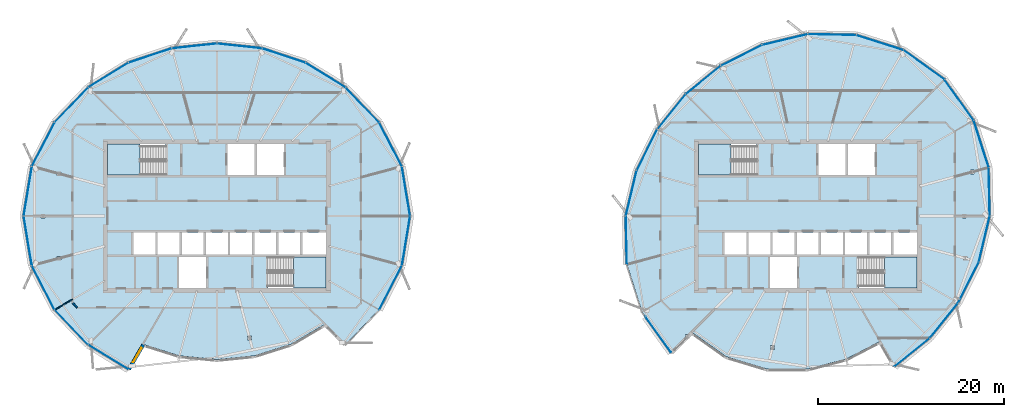
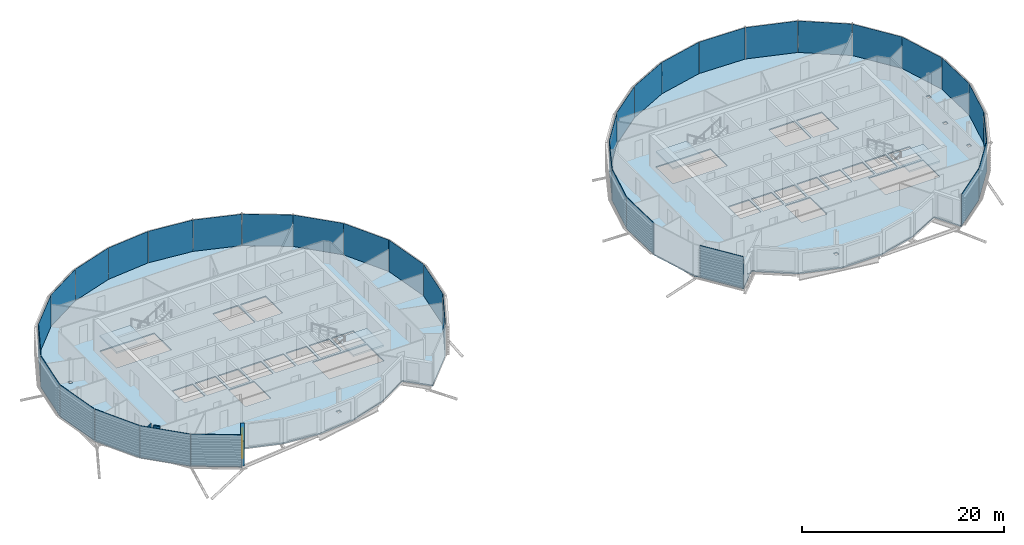
# One storey, part 17 of 35: 36 plates, 6 slabs, 3 walls, 1 window, 1 opening, 6 elements without a shape of their own.
"""IFC4 building model written with IfcOpenShell, lengths in metres."""

from ifc_helpers import new_model, si_unit, direction, frame, frame_2d, origin, origin_2d, place, context, subcontext, project, spatial, polyline, rectangle, outline, extrude, material, layer, layer_set, type_object, element, fill, aggregate, save


model = new_model("IFC4")

# Units and contexts
model_context = context("Model", 3, precision=1e-05, world=origin(), true_north=direction((0.0, 1.0)))
body_context = subcontext(model_context, "Body", "Model", "MODEL_VIEW")
ifc_project = project(units=[si_unit("LENGTHUNIT", "METRE"), si_unit("AREAUNIT", "SQUARE_METRE"), si_unit("VOLUMEUNIT", "CUBIC_METRE"), si_unit("PLANEANGLEUNIT", "RADIAN"), si_unit("MASSUNIT", "GRAM", prefix="KILO")], contexts=[model_context])

# Site, building, storey
site_placement = place(None, origin())
site = spatial("IfcSite", under=ifc_project, at=site_placement, CompositionType="ELEMENT")
building_placement = place(site_placement, origin())
building = spatial("IfcBuilding", under=site, at=building_placement, Name="Rimbun Link Towers", CompositionType="ELEMENT")
storey_placement = place(building_placement, frame((0.0, 0.0, 229.5)))
storey = spatial("IfcBuildingStorey", under=building, at=storey_placement, Name="L56", CompositionType="ELEMENT", Elevation=229.5)

# Slabs
ifc_material_1 = material(Name="Concrete C35/45", Category="concrete")
ifc_layer_1 = layer(ifc_material_1, 0.139892578125)
ifc_layer_set_1 = layer_set([ifc_layer_1], Name="COMPOSITE FLOOR 140")
slab_type_1 = type_object("IfcSlabType", Name="COMPOSITE FLOOR 140", PredefinedType="FLOOR", material=ifc_layer_set_1)
slab_1_placement = place(storey_placement, frame((0.0, 0.0, -0.139892578125)))
element("IfcSlab", 1, at=slab_1_placement, inside=storey, type_object=slab_type_1, Name="Floor slab T1 L56", PredefinedType="FLOOR", context=body_context, shape_type="SweptSolid", body=[
    extrude(outline(polyline([(-45.56494140625, -13.81494140625), (-49.168212890625, -10.056396484375), (-51.6171875, -5.323486328125), (-52.49267578125, 0.0), (-51.6171875, 5.323486328125), (-49.168212890625, 10.056396484375), (-45.56494140625, 13.81494140625), (-41.254150390625, 16.4619140625), (-36.576416015625, 18.011962890625), (-31.75, 18.520263671875), (-26.923583984375, 18.011962890625), (-22.245849609375, 16.4619140625), (-17.93505859375, 13.81494140625), (-14.331787109375, 10.056396484375), (-11.8828125, 5.323486328125), (-11.00732421875, 0.0), (-11.8828125, -5.323486328125), (-14.331787109375, -10.056396484375), (-17.93505859375, -13.81494140625), (-20.127197265625, -11.622802734375), (-23.7958984375, -13.777099609375), (-27.72607421875, -15.017578125), (-31.75, -15.42041015625), (-35.77392578125, -15.017578125), (-39.7041015625, -13.777099609375), (-41.254150390625, -16.4619140625), (-45.56494140625, -13.81494140625)]), holes=[polyline([(-32.89990234375, -7.75), (-32.89990234375, -4.39990234375), (-35.800048828125, -4.39990234375), (-35.800048828125, -7.75), (-32.89990234375, -7.75)]), polyline([(-48.52392578125, -4.744873046875), (-48.52392578125, -4.351318359375), (-48.9228515625, -4.351318359375), (-48.9228515625, -4.744873046875), (-48.52392578125, -4.744873046875)]), polyline([(-38.361083984375, -4.14990234375), (-38.361083984375, -1.75), (-40.70556640625, -1.75), (-40.70556640625, -4.14990234375), (-38.361083984375, -4.14990234375)]), polyline([(-35.7666015625, -4.14990234375), (-35.7666015625, -1.75), (-38.111083984375, -1.75), (-38.111083984375, -4.14990234375), (-35.7666015625, -4.14990234375)]), polyline([(-33.172119140625, -4.14990234375), (-33.172119140625, -1.75), (-35.5166015625, -1.75), (-35.5166015625, -4.14990234375), (-33.172119140625, -4.14990234375)]), polyline([(-30.577880859375, -4.14990234375), (-30.577880859375, -1.75), (-32.922119140625, -1.75), (-32.922119140625, -4.14990234375), (-30.577880859375, -4.14990234375)]), polyline([(-50.246337890625, -0.19677734375), (-50.246337890625, 0.19677734375), (-50.645263671875, 0.19677734375), (-50.645263671875, -0.19677734375), (-50.246337890625, -0.19677734375)]), polyline([(-48.52392578125, 4.351318359375), (-48.52392578125, 4.744873046875), (-48.9228515625, 4.744873046875), (-48.9228515625, 4.351318359375), (-48.52392578125, 4.351318359375)]), polyline([(-37.260009765625, 4.39990234375), (-37.260009765625, 7.75), (-43.5, 7.75), (-43.5, 4.39990234375), (-37.260009765625, 4.39990234375)]), polyline([(-28.0380859375, -13.305419921875), (-28.0380859375, -12.911865234375), (-28.43701171875, -12.911865234375), (-28.43701171875, -13.305419921875), (-28.0380859375, -13.305419921875)]), polyline([(-20.0, -7.75), (-20.0, -4.39990234375), (-26.239990234375, -4.39990234375), (-26.239990234375, -7.75), (-20.0, -7.75)]), polyline([(-27.9833984375, -4.14990234375), (-27.9833984375, -1.75), (-30.327880859375, -1.75), (-30.327880859375, -4.14990234375), (-27.9833984375, -4.14990234375)]), polyline([(-25.388916015625, -4.14990234375), (-25.388916015625, -1.75), (-27.7333984375, -1.75), (-27.7333984375, -4.14990234375), (-25.388916015625, -4.14990234375)]), polyline([(-22.79443359375, -4.14990234375), (-22.79443359375, -1.75), (-25.138916015625, -1.75), (-25.138916015625, -4.14990234375), (-22.79443359375, -4.14990234375)]), polyline([(-20.0, -4.14990234375), (-20.0, -1.75), (-22.54443359375, -1.75), (-22.54443359375, -4.14990234375), (-20.0, -4.14990234375)]), polyline([(-30.60009765625, 4.39990234375), (-27.699951171875, 4.39990234375), (-27.699951171875, 7.75), (-30.60009765625, 7.75), (-30.60009765625, 4.39990234375)]), polyline([(-27.449951171875, 4.39990234375), (-24.550048828125, 4.39990234375), (-24.550048828125, 7.75), (-27.449951171875, 7.75), (-27.449951171875, 4.39990234375)])]), origin(), (0.0, 0.0, 1.0), 0.139892578125),
])
slab_2_placement = place(storey_placement, frame((0.0, 0.0, -0.139892578125)))
element("IfcSlab", 2, at=slab_2_placement, inside=storey, type_object=slab_type_1, Name="Floor slab T2 L56", PredefinedType="FLOOR", context=body_context, shape_type="SweptSolid", body=[
    extrude(outline(polyline([(17.082763671875, -14.667236328125), (13.9375, -10.2841796875), (12.322509765625, -5.20556640625), (12.212646484375, 0.0), (13.389404296875, 4.919677734375), (15.600830078125, 9.32373046875), (18.654296875, 13.095703125), (22.42626953125, 16.149169921875), (26.830322265625, 18.360595703125), (31.75, 19.537353515625), (36.95556640625, 19.427490234375), (42.0341796875, 17.8125), (46.417236328125, 14.667236328125), (49.5625, 10.2841796875), (51.177490234375, 5.20556640625), (51.287353515625, 0.0), (50.110595703125, -4.919677734375), (47.899169921875, -9.32373046875), (44.845703125, -13.095703125), (41.07373046875, -16.149169921875), (39.523681640625, -13.46435546875), (35.867431640625, -15.3662109375), (31.75, -16.437255859375), (27.3466796875, -16.433349609375), (23.015869140625, -15.1279296875), (19.274658203125, -12.475341796875), (19.01416015625, -12.73583984375), (18.617919921875, -12.73583984375), (18.617919921875, -13.12939453125), (18.62060546875, -13.12939453125), (17.082763671875, -14.667236328125)]), holes=[polyline([(28.16650390625, -14.315185546875), (28.16650390625, -13.921630859375), (27.767578125, -13.921630859375), (27.767578125, -14.315185546875), (28.16650390625, -14.315185546875)]), polyline([(30.60009765625, -7.75), (30.60009765625, -4.39990234375), (27.699951171875, -4.39990234375), (27.699951171875, -7.75), (30.60009765625, -7.75)]), polyline([(25.138916015625, -4.14990234375), (25.138916015625, -1.75), (22.79443359375, -1.75), (22.79443359375, -4.14990234375), (25.138916015625, -4.14990234375)]), polyline([(27.7333984375, -4.14990234375), (27.7333984375, -1.75), (25.388916015625, -1.75), (25.388916015625, -4.14990234375), (27.7333984375, -4.14990234375)]), polyline([(30.327880859375, -4.14990234375), (30.327880859375, -1.75), (27.9833984375, -1.75), (27.9833984375, -4.14990234375), (30.327880859375, -4.14990234375)]), polyline([(32.922119140625, -4.14990234375), (32.922119140625, -1.75), (30.577880859375, -1.75), (30.577880859375, -4.14990234375), (32.922119140625, -4.14990234375)]), polyline([(33.172119140625, -4.14990234375), (35.5166015625, -4.14990234375), (35.5166015625, -1.75), (33.172119140625, -1.75), (33.172119140625, -4.14990234375)]), polyline([(20.0, 4.39990234375), (26.239990234375, 4.39990234375), (26.239990234375, 7.75), (20.0, 7.75), (20.0, 4.39990234375)]), polyline([(43.5, -7.75), (43.5, -4.39990234375), (37.260009765625, -4.39990234375), (37.260009765625, -7.75), (43.5, -7.75)]), polyline([(48.861328125, -4.728271484375), (48.861328125, -4.334716796875), (48.46240234375, -4.334716796875), (48.46240234375, -4.728271484375), (48.861328125, -4.728271484375)]), polyline([(38.111083984375, -4.14990234375), (38.111083984375, -1.75), (35.7666015625, -1.75), (35.7666015625, -4.14990234375), (38.111083984375, -4.14990234375)]), polyline([(40.70556640625, -4.14990234375), (40.70556640625, -1.75), (38.361083984375, -1.75), (38.361083984375, -4.14990234375), (40.70556640625, -4.14990234375)]), polyline([(43.5, -4.14990234375), (43.5, -1.75), (40.95556640625, -1.75), (40.95556640625, -4.14990234375), (43.5, -4.14990234375)]), polyline([(48.760009765625, -0.19677734375), (48.760009765625, 0.19677734375), (48.36083984375, 0.19677734375), (48.36083984375, -0.19677734375), (48.760009765625, -0.19677734375)]), polyline([(49.622314453125, 4.538818359375), (49.622314453125, 4.932373046875), (49.223388671875, 4.932373046875), (49.223388671875, 4.538818359375), (49.622314453125, 4.538818359375)]), polyline([(32.89990234375, 4.39990234375), (35.800048828125, 4.39990234375), (35.800048828125, 7.75), (32.89990234375, 7.75), (32.89990234375, 4.39990234375)]), polyline([(36.050048828125, 4.39990234375), (38.949951171875, 4.39990234375), (38.949951171875, 7.75), (36.050048828125, 7.75), (36.050048828125, 4.39990234375)])]), origin(), (0.0, 0.0, 1.0), 0.139892578125),
])

# Curtain wall, plates
ifc_material_2 = material(Name="Aluminium 6063-T6 and low-iron glass", Category="aluminium")
curtain_wall_type = type_object("IfcCurtainWallType", Name="CW1-Z4 unitised vision wall (zone 4)", PredefinedType="NOTDEFINED", material=ifc_material_2)
curtain_wall_1_placement = place(storey_placement, origin())
curtain_wall_1 = element("IfcCurtainWall", 3, at=curtain_wall_1_placement, inside=storey, type_object=curtain_wall_type, Name="CW1 L56 T1", PredefinedType="NOTDEFINED")
ifc_material_3 = material(Name="Low-iron glass, laminated low-e unit", Category="glass")
ifc_layer_2 = layer(ifc_material_3, 0.028076171875)
ifc_layer_set_2 = layer_set([ifc_layer_2], Name="CW1 panel Low-iron glass 28")
plate_type = type_object("IfcPlateType", Name="CW1 panel Low-iron glass 28", PredefinedType="CURTAIN_PANEL", material=ifc_layer_set_2)
plate_1_placement = place(storey_placement, frame((-11.43115234375, 2.6640625, 0.0), z_axis=(0.0, 0.0, 1.0), x_axis=(0.162264453577, -0.986747306612, 0.0)))
plate_1 = element("IfcPlate", 4, at=plate_1_placement, type_object=plate_type, Name="CW1 panel", PredefinedType="CURTAIN_PANEL", context=body_context, shape_type="SweptSolid", body=[
    extrude(rectangle(XDim=5.35498046875, YDim=0.028076171875, at=origin_2d()), origin(), (0.0, 0.0, 1.0), 3.800048828125),
])
plate_2_placement = place(storey_placement, frame((-13.0947265625, 7.6962890625, 0.0), z_axis=(0.0, 0.0, 1.0), x_axis=(0.459547983117, -0.888152943593, 0.0)))
plate_2 = element("IfcPlate", 5, at=plate_2_placement, type_object=plate_type, Name="CW1 panel", PredefinedType="CURTAIN_PANEL", context=body_context, shape_type="SweptSolid", body=[
    extrude(rectangle(XDim=5.2890625, YDim=0.028076171875, at=origin_2d()), origin(), (0.0, 0.0, 1.0), 3.800048828125),
])
plate_3_placement = place(storey_placement, frame((-16.123291015625, 11.945556640625, 0.0), z_axis=(0.0, 0.0, 1.0), x_axis=(0.692045926829, -0.721853472084, 0.0)))
plate_3 = element("IfcPlate", 6, at=plate_3_placement, type_object=plate_type, Name="CW1 panel", PredefinedType="CURTAIN_PANEL", context=body_context, shape_type="SweptSolid", body=[
    extrude(rectangle(XDim=5.166748046875, YDim=0.028076171875, at=origin_2d()), origin(), (0.0, 0.0, 1.0), 3.800048828125),
])
plate_4_placement = place(storey_placement, frame((-20.0830078125, 15.150390625, 0.0), z_axis=(0.0, 0.0, 1.0), x_axis=(0.852187308888, -0.523236839844, 0.0)))
plate_4 = element("IfcPlate", 7, at=plate_4_placement, type_object=plate_type, Name="CW1 panel", PredefinedType="CURTAIN_PANEL", context=body_context, shape_type="SweptSolid", body=[
    extrude(rectangle(XDim=5.0185546875, YDim=0.028076171875, at=origin_2d()), origin(), (0.0, 0.0, 1.0), 3.800048828125),
])
plate_5_placement = place(storey_placement, frame((-24.580322265625, 17.250244140625, 0.0), z_axis=(0.0, 0.0, 1.0), x_axis=(0.949235811847, -0.314565372391, 0.0)))
plate_5 = element("IfcPlate", 8, at=plate_5_placement, type_object=plate_type, Name="CW1 panel", PredefinedType="CURTAIN_PANEL", context=body_context, shape_type="SweptSolid", body=[
    extrude(rectangle(XDim=4.88818359375, YDim=0.028076171875, at=origin_2d()), origin(), (0.0, 0.0, 1.0), 3.800048828125),
])
plate_6_placement = place(storey_placement, frame((-29.33544921875, 18.280029296875, 0.0), z_axis=(0.0, 0.0, 1.0), x_axis=(0.994499693073, -0.104739488627, 0.0)))
plate_6 = element("IfcPlate", 9, at=plate_6_placement, type_object=plate_type, Name="CW1 panel", PredefinedType="CURTAIN_PANEL", context=body_context, shape_type="SweptSolid", body=[
    extrude(rectangle(XDim=4.81298828125, YDim=0.028076171875, at=origin_2d()), origin(), (0.0, 0.0, 1.0), 3.800048828125),
])
plate_7_placement = place(storey_placement, frame((-34.16455078125, 18.280029296875, 0.0), z_axis=(0.0, 0.0, 1.0), x_axis=(0.994499693073, 0.104739488627, 0.0)))
plate_7 = element("IfcPlate", 10, at=plate_7_placement, type_object=plate_type, Name="CW1 panel", PredefinedType="CURTAIN_PANEL", context=body_context, shape_type="SweptSolid", body=[
    extrude(rectangle(XDim=4.81298828125, YDim=0.028076171875, at=origin_2d()), origin(), (0.0, 0.0, 1.0), 3.800048828125),
])
plate_8_placement = place(storey_placement, frame((-38.919677734375, 17.250244140625, 0.0), z_axis=(0.0, 0.0, 1.0), x_axis=(0.949235811847, 0.314565372391, 0.0)))
plate_8 = element("IfcPlate", 11, at=plate_8_placement, type_object=plate_type, Name="CW1 panel", PredefinedType="CURTAIN_PANEL", context=body_context, shape_type="SweptSolid", body=[
    extrude(rectangle(XDim=4.88818359375, YDim=0.028076171875, at=origin_2d()), origin(), (0.0, 0.0, 1.0), 3.800048828125),
])
plate_9_placement = place(storey_placement, frame((-43.4169921875, 15.150390625, 0.0), z_axis=(0.0, 0.0, 1.0), x_axis=(0.852187308888, 0.523236839844, 0.0)))
plate_9 = element("IfcPlate", 12, at=plate_9_placement, type_object=plate_type, Name="CW1 panel", PredefinedType="CURTAIN_PANEL", context=body_context, shape_type="SweptSolid", body=[
    extrude(rectangle(XDim=5.0185546875, YDim=0.028076171875, at=origin_2d()), origin(), (0.0, 0.0, 1.0), 3.800048828125),
])
plate_10_placement = place(storey_placement, frame((-47.376708984375, 11.945556640625, 0.0), z_axis=(0.0, 0.0, 1.0), x_axis=(0.692045926829, 0.721853472084, 0.0)))
plate_10 = element("IfcPlate", 13, at=plate_10_placement, type_object=plate_type, Name="CW1 panel", PredefinedType="CURTAIN_PANEL", context=body_context, shape_type="SweptSolid", body=[
    extrude(rectangle(XDim=5.166748046875, YDim=0.028076171875, at=origin_2d()), origin(), (0.0, 0.0, 1.0), 3.800048828125),
])
plate_11_placement = place(storey_placement, frame((-50.4052734375, 7.6962890625, 0.0), z_axis=(0.0, 0.0, 1.0), x_axis=(0.459547983117, 0.888152943593, 0.0)))
plate_11 = element("IfcPlate", 14, at=plate_11_placement, type_object=plate_type, Name="CW1 panel", PredefinedType="CURTAIN_PANEL", context=body_context, shape_type="SweptSolid", body=[
    extrude(rectangle(XDim=5.2890625, YDim=0.028076171875, at=origin_2d()), origin(), (0.0, 0.0, 1.0), 3.800048828125),
])
plate_12_placement = place(storey_placement, frame((-52.06884765625, 2.6640625, 0.0), z_axis=(0.0, 0.0, 1.0), x_axis=(0.162264453577, 0.986747306612, 0.0)))
plate_12 = element("IfcPlate", 15, at=plate_12_placement, type_object=plate_type, Name="CW1 panel", PredefinedType="CURTAIN_PANEL", context=body_context, shape_type="SweptSolid", body=[
    extrude(rectangle(XDim=5.35498046875, YDim=0.028076171875, at=origin_2d()), origin(), (0.0, 0.0, 1.0), 3.800048828125),
])
plate_13_placement = place(storey_placement, frame((-52.06884765625, -2.6640625, 0.0), z_axis=(0.0, 0.0, 1.0), x_axis=(-0.162264453577, 0.986747306612, 0.0)))
plate_13 = element("IfcPlate", 16, at=plate_13_placement, type_object=plate_type, Name="CW1 panel", PredefinedType="CURTAIN_PANEL", context=body_context, shape_type="SweptSolid", body=[
    extrude(rectangle(XDim=5.35498046875, YDim=0.028076171875, at=origin_2d()), origin(), (0.0, 0.0, 1.0), 3.800048828125),
])
plate_14_placement = place(storey_placement, frame((-50.4052734375, -7.6962890625, 0.0), z_axis=(0.0, 0.0, 1.0), x_axis=(-0.459547983117, 0.888152943593, 0.0)))
plate_14 = element("IfcPlate", 17, at=plate_14_placement, type_object=plate_type, Name="CW1 panel", PredefinedType="CURTAIN_PANEL", context=body_context, shape_type="SweptSolid", body=[
    extrude(rectangle(XDim=5.2890625, YDim=0.028076171875, at=origin_2d()), origin(), (0.0, 0.0, 1.0), 3.800048828125),
])
plate_15_placement = place(storey_placement, frame((-47.376708984375, -11.945556640625, 0.0), z_axis=(0.0, 0.0, 1.0), x_axis=(-0.692045926829, 0.721853472084, 0.0)))
plate_15 = element("IfcPlate", 18, at=plate_15_placement, type_object=plate_type, Name="CW1 panel", PredefinedType="CURTAIN_PANEL", context=body_context, shape_type="SweptSolid", body=[
    extrude(rectangle(XDim=5.166748046875, YDim=0.028076171875, at=origin_2d()), origin(), (0.0, 0.0, 1.0), 3.800048828125),
])
plate_16_placement = place(storey_placement, frame((-43.4169921875, -15.150390625, 0.0), z_axis=(0.0, 0.0, 1.0), x_axis=(-0.852187308888, 0.523236839844, 0.0)))
plate_16 = element("IfcPlate", 19, at=plate_16_placement, type_object=plate_type, Name="CW1 panel", PredefinedType="CURTAIN_PANEL", context=body_context, shape_type="SweptSolid", body=[
    extrude(rectangle(XDim=5.0185546875, YDim=0.028076171875, at=origin_2d()), origin(), (0.0, 0.0, 1.0), 3.800048828125),
])
plate_17_placement = place(storey_placement, frame((-13.0947265625, -7.6962890625, 0.0), z_axis=(0.0, 0.0, 1.0), x_axis=(-0.459547983117, -0.888152943593, 0.0)))
plate_17 = element("IfcPlate", 20, at=plate_17_placement, type_object=plate_type, Name="CW1 panel", PredefinedType="CURTAIN_PANEL", context=body_context, shape_type="SweptSolid", body=[
    extrude(rectangle(XDim=5.2890625, YDim=0.028076171875, at=origin_2d()), origin(), (0.0, 0.0, 1.0), 3.800048828125),
])
plate_18_placement = place(storey_placement, frame((-11.43115234375, -2.6640625, 0.0), z_axis=(0.0, 0.0, 1.0), x_axis=(-0.162264453577, -0.986747306612, 0.0)))
plate_18 = element("IfcPlate", 21, at=plate_18_placement, type_object=plate_type, Name="CW1 panel", PredefinedType="CURTAIN_PANEL", context=body_context, shape_type="SweptSolid", body=[
    extrude(rectangle(XDim=5.35498046875, YDim=0.028076171875, at=origin_2d()), origin(), (0.0, 0.0, 1.0), 3.800048828125),
])
aggregate(curtain_wall_1, [plate_1, plate_2, plate_3, plate_4, plate_5, plate_6, plate_7, plate_8, plate_9, plate_10, plate_11, plate_12, plate_13, plate_14, plate_15, plate_16, plate_17, plate_18])

curtain_wall_2_placement = place(storey_placement, origin())
curtain_wall_2 = element("IfcCurtainWall", 22, at=curtain_wall_2_placement, inside=storey, type_object=curtain_wall_type, Name="CW1 L56 T2", PredefinedType="NOTDEFINED")
plate_19_placement = place(storey_placement, frame((44.23388671875, 16.251220703125, 0.0), z_axis=(0.0, 0.0, 1.0), x_axis=(0.812465338349, -0.583009497334, 0.0)))
plate_19 = element("IfcPlate", 23, at=plate_19_placement, type_object=plate_type, Name="CW1 panel", PredefinedType="CURTAIN_PANEL", context=body_context, shape_type="SweptSolid", body=[
    extrude(rectangle(XDim=5.35498046875, YDim=0.028076171875, at=origin_2d()), origin(), (0.0, 0.0, 1.0), 3.800048828125),
])
plate_20_placement = place(storey_placement, frame((39.4990234375, 18.633544921875, 0.0), z_axis=(0.0, 0.0, 1.0), x_axis=(0.952973824415, -0.303052619159, 0.0)))
plate_20 = element("IfcPlate", 24, at=plate_20_placement, type_object=plate_type, Name="CW1 panel", PredefinedType="CURTAIN_PANEL", context=body_context, shape_type="SweptSolid", body=[
    extrude(rectangle(XDim=5.2890625, YDim=0.028076171875, at=origin_2d()), origin(), (0.0, 0.0, 1.0), 3.800048828125),
])
plate_21_placement = place(storey_placement, frame((34.35302734375, 19.496337890625, 0.0), z_axis=(0.0, 0.0, 1.0), x_axis=(0.999778028585, -0.021068781637, 0.0)))
plate_21 = element("IfcPlate", 25, at=plate_21_placement, type_object=plate_type, Name="CW1 panel", PredefinedType="CURTAIN_PANEL", context=body_context, shape_type="SweptSolid", body=[
    extrude(rectangle(XDim=5.166748046875, YDim=0.028076171875, at=origin_2d()), origin(), (0.0, 0.0, 1.0), 3.800048828125),
])
plate_22_placement = place(storey_placement, frame((29.286865234375, 18.962646484375, 0.0), z_axis=(0.0, 0.0, 1.0), x_axis=(0.972572183777, 0.232601262555, 0.0)))
plate_22 = element("IfcPlate", 26, at=plate_22_placement, type_object=plate_type, Name="CW1 panel", PredefinedType="CURTAIN_PANEL", context=body_context, shape_type="SweptSolid", body=[
    extrude(rectangle(XDim=5.0185546875, YDim=0.028076171875, at=origin_2d()), origin(), (0.0, 0.0, 1.0), 3.800048828125),
])
plate_23_placement = place(storey_placement, frame((24.6220703125, 17.267333984375, 0.0), z_axis=(0.0, 0.0, 1.0), x_axis=(0.893646631938, 0.448771319523, 0.0)))
plate_23 = element("IfcPlate", 27, at=plate_23_placement, type_object=plate_type, Name="CW1 panel", PredefinedType="CURTAIN_PANEL", context=body_context, shape_type="SweptSolid", body=[
    extrude(rectangle(XDim=4.88818359375, YDim=0.028076171875, at=origin_2d()), origin(), (0.0, 0.0, 1.0), 3.800048828125),
])
plate_24_placement = place(storey_placement, frame((20.531494140625, 14.63330078125, 0.0), z_axis=(0.0, 0.0, 1.0), x_axis=(0.777275581063, 0.629160290454, 0.0)))
plate_24 = element("IfcPlate", 28, at=plate_24_placement, type_object=plate_type, Name="CW1 panel", PredefinedType="CURTAIN_PANEL", context=body_context, shape_type="SweptSolid", body=[
    extrude(rectangle(XDim=4.81298828125, YDim=0.028076171875, at=origin_2d()), origin(), (0.0, 0.0, 1.0), 3.800048828125),
])
plate_25_placement = place(storey_placement, frame((17.11669921875, 11.218505859375, 0.0), z_axis=(0.0, 0.0, 1.0), x_axis=(0.629160290454, 0.777275581063, 0.0)))
plate_25 = element("IfcPlate", 29, at=plate_25_placement, type_object=plate_type, Name="CW1 panel", PredefinedType="CURTAIN_PANEL", context=body_context, shape_type="SweptSolid", body=[
    extrude(rectangle(XDim=4.81298828125, YDim=0.028076171875, at=origin_2d()), origin(), (0.0, 0.0, 1.0), 3.800048828125),
])
plate_26_placement = place(storey_placement, frame((14.482666015625, 7.1279296875, 0.0), z_axis=(0.0, 0.0, 1.0), x_axis=(0.448771319523, 0.893646631938, 0.0)))
plate_26 = element("IfcPlate", 30, at=plate_26_placement, type_object=plate_type, Name="CW1 panel", PredefinedType="CURTAIN_PANEL", context=body_context, shape_type="SweptSolid", body=[
    extrude(rectangle(XDim=4.88818359375, YDim=0.028076171875, at=origin_2d()), origin(), (0.0, 0.0, 1.0), 3.800048828125),
])
plate_27_placement = place(storey_placement, frame((12.787353515625, 2.463134765625, 0.0), z_axis=(0.0, 0.0, 1.0), x_axis=(0.232601262555, 0.972572183777, 0.0)))
plate_27 = element("IfcPlate", 31, at=plate_27_placement, type_object=plate_type, Name="CW1 panel", PredefinedType="CURTAIN_PANEL", context=body_context, shape_type="SweptSolid", body=[
    extrude(rectangle(XDim=5.0185546875, YDim=0.028076171875, at=origin_2d()), origin(), (0.0, 0.0, 1.0), 3.800048828125),
])
plate_28_placement = place(storey_placement, frame((12.253662109375, -2.60302734375, 0.0), z_axis=(0.0, 0.0, 1.0), x_axis=(-0.021068781637, 0.999778028585, 0.0)))
plate_28 = element("IfcPlate", 32, at=plate_28_placement, type_object=plate_type, Name="CW1 panel", PredefinedType="CURTAIN_PANEL", context=body_context, shape_type="SweptSolid", body=[
    extrude(rectangle(XDim=5.166748046875, YDim=0.028076171875, at=origin_2d()), origin(), (0.0, 0.0, 1.0), 3.800048828125),
])
plate_29_placement = place(storey_placement, frame((15.688232421875, -12.747802734375, 0.0), z_axis=(0.0, 0.0, 1.0), x_axis=(-0.583009497334, 0.812465338349, 0.0)))
plate_29 = element("IfcPlate", 33, at=plate_29_placement, type_object=plate_type, Name="CW1 panel", PredefinedType="CURTAIN_PANEL", context=body_context, shape_type="SweptSolid", body=[
    extrude(rectangle(XDim=4.704833984375, YDim=0.028076171875, at=origin_2d()), origin(), (0.0, 0.0, 1.0), 3.800048828125),
])
plate_30_placement = place(storey_placement, frame((42.968505859375, -14.63330078125, 0.0), z_axis=(0.0, 0.0, 1.0), x_axis=(-0.777275581063, -0.629160290454, 0.0)))
plate_30 = element("IfcPlate", 34, at=plate_30_placement, type_object=plate_type, Name="CW1 panel", PredefinedType="CURTAIN_PANEL", context=body_context, shape_type="SweptSolid", body=[
    extrude(rectangle(XDim=4.81298828125, YDim=0.028076171875, at=origin_2d()), origin(), (0.0, 0.0, 1.0), 3.800048828125),
])
plate_31_placement = place(storey_placement, frame((46.38330078125, -11.218505859375, 0.0), z_axis=(0.0, 0.0, 1.0), x_axis=(-0.629160290454, -0.777275581063, 0.0)))
plate_31 = element("IfcPlate", 35, at=plate_31_placement, type_object=plate_type, Name="CW1 panel", PredefinedType="CURTAIN_PANEL", context=body_context, shape_type="SweptSolid", body=[
    extrude(rectangle(XDim=4.81298828125, YDim=0.028076171875, at=origin_2d()), origin(), (0.0, 0.0, 1.0), 3.800048828125),
])
plate_32_placement = place(storey_placement, frame((49.017333984375, -7.1279296875, 0.0), z_axis=(0.0, 0.0, 1.0), x_axis=(-0.448771319523, -0.893646631938, 0.0)))
plate_32 = element("IfcPlate", 36, at=plate_32_placement, type_object=plate_type, Name="CW1 panel", PredefinedType="CURTAIN_PANEL", context=body_context, shape_type="SweptSolid", body=[
    extrude(rectangle(XDim=4.88818359375, YDim=0.028076171875, at=origin_2d()), origin(), (0.0, 0.0, 1.0), 3.800048828125),
])
plate_33_placement = place(storey_placement, frame((50.712646484375, -2.463134765625, 0.0), z_axis=(0.0, 0.0, 1.0), x_axis=(-0.232601262555, -0.972572183777, 0.0)))
plate_33 = element("IfcPlate", 37, at=plate_33_placement, type_object=plate_type, Name="CW1 panel", PredefinedType="CURTAIN_PANEL", context=body_context, shape_type="SweptSolid", body=[
    extrude(rectangle(XDim=5.0185546875, YDim=0.028076171875, at=origin_2d()), origin(), (0.0, 0.0, 1.0), 3.800048828125),
])
plate_34_placement = place(storey_placement, frame((51.246337890625, 2.60302734375, 0.0), z_axis=(0.0, 0.0, 1.0), x_axis=(0.021068781637, -0.999778028585, 0.0)))
plate_34 = element("IfcPlate", 38, at=plate_34_placement, type_object=plate_type, Name="CW1 panel", PredefinedType="CURTAIN_PANEL", context=body_context, shape_type="SweptSolid", body=[
    extrude(rectangle(XDim=5.166748046875, YDim=0.028076171875, at=origin_2d()), origin(), (0.0, 0.0, 1.0), 3.800048828125),
])
plate_35_placement = place(storey_placement, frame((50.383544921875, 7.7490234375, 0.0), z_axis=(0.0, 0.0, 1.0), x_axis=(0.303052619159, -0.952973824415, 0.0)))
plate_35 = element("IfcPlate", 39, at=plate_35_placement, type_object=plate_type, Name="CW1 panel", PredefinedType="CURTAIN_PANEL", context=body_context, shape_type="SweptSolid", body=[
    extrude(rectangle(XDim=5.2890625, YDim=0.028076171875, at=origin_2d()), origin(), (0.0, 0.0, 1.0), 3.800048828125),
])
plate_36_placement = place(storey_placement, frame((48.001220703125, 12.48388671875, 0.0), z_axis=(0.0, 0.0, 1.0), x_axis=(0.583009497334, -0.812465338349, 0.0)))
plate_36 = element("IfcPlate", 40, at=plate_36_placement, type_object=plate_type, Name="CW1 panel", PredefinedType="CURTAIN_PANEL", context=body_context, shape_type="SweptSolid", body=[
    extrude(rectangle(XDim=5.35498046875, YDim=0.028076171875, at=origin_2d()), origin(), (0.0, 0.0, 1.0), 3.800048828125),
])
aggregate(curtain_wall_2, [plate_19, plate_20, plate_21, plate_22, plate_23, plate_24, plate_25, plate_26, plate_27, plate_28, plate_29, plate_30, plate_31, plate_32, plate_33, plate_34, plate_35, plate_36])

# Stair, slab
ifc_material_4 = material(Name="Concrete C40/50", Category="concrete")
stair_type = type_object("IfcStairType", Name="Exit stair 3800 rise", PredefinedType="HALF_TURN_STAIR", material=ifc_material_4)
stair_1_placement = place(storey_placement, origin())
stair_1 = element("IfcStair", 41, at=stair_1_placement, inside=storey, type_object=stair_type, Name="L56 EXIT STAIR A", PredefinedType="HALF_TURN_STAIR")
ifc_material_5 = material(Name="Concrete C40/50", Category="concrete")
ifc_layer_3 = layer(ifc_material_5, 0.199951171875)
ifc_layer_set_3 = layer_set([ifc_layer_3], Name="Stair landing")
slab_type_2 = type_object("IfcSlabType", Name="Stair landing", PredefinedType="LANDING", material=ifc_layer_set_3)
slab_3_placement = place(storey_placement, frame((0.0, 0.0, 1.699951171875)))
slab_3 = element("IfcSlab", 42, at=slab_3_placement, type_object=slab_type_2, Name="ST1 landing 1", PredefinedType="LANDING", context=body_context, shape_type="SweptSolid", body=[
    extrude(outline(polyline([(-40.0, 7.75), (-43.5, 7.75), (-43.5, 4.39990234375), (-40.0, 4.39990234375), (-40.0, 7.75)])), origin(), (0.0, 0.0, 1.0), 0.199951171875),
])
aggregate(stair_1, [slab_3])

stair_2_placement = place(storey_placement, origin())
stair_2 = element("IfcStair", 43, at=stair_2_placement, inside=storey, type_object=stair_type, Name="L56 EXIT STAIR B", PredefinedType="HALF_TURN_STAIR")
slab_4_placement = place(storey_placement, frame((0.0, 0.0, 1.699951171875)))
slab_4 = element("IfcSlab", 44, at=slab_4_placement, type_object=slab_type_2, Name="ST2 landing 1", PredefinedType="LANDING", context=body_context, shape_type="SweptSolid", body=[
    extrude(outline(polyline([(-23.5, -7.75), (-20.0, -7.75), (-20.0, -4.39990234375), (-23.5, -4.39990234375), (-23.5, -7.75)])), origin(), (0.0, 0.0, 1.0), 0.199951171875),
])
aggregate(stair_2, [slab_4])

stair_3_placement = place(storey_placement, origin())
stair_3 = element("IfcStair", 45, at=stair_3_placement, inside=storey, type_object=stair_type, Name="L56 EXIT STAIR A", PredefinedType="HALF_TURN_STAIR")
slab_5_placement = place(storey_placement, frame((0.0, 0.0, 1.699951171875)))
slab_5 = element("IfcSlab", 46, at=slab_5_placement, type_object=slab_type_2, Name="ST3 landing 1", PredefinedType="LANDING", context=body_context, shape_type="SweptSolid", body=[
    extrude(outline(polyline([(23.5, 7.75), (20.0, 7.75), (20.0, 4.39990234375), (23.5, 4.39990234375), (23.5, 7.75)])), origin(), (0.0, 0.0, 1.0), 0.199951171875),
])
aggregate(stair_3, [slab_5])

stair_4_placement = place(storey_placement, origin())
stair_4 = element("IfcStair", 47, at=stair_4_placement, inside=storey, type_object=stair_type, Name="L56 EXIT STAIR B", PredefinedType="HALF_TURN_STAIR")
slab_6_placement = place(storey_placement, frame((0.0, 0.0, 1.699951171875)))
slab_6 = element("IfcSlab", 48, at=slab_6_placement, type_object=slab_type_2, Name="ST4 landing 1", PredefinedType="LANDING", context=body_context, shape_type="SweptSolid", body=[
    extrude(outline(polyline([(40.0, -7.75), (43.5, -7.75), (43.5, -4.39990234375), (40.0, -4.39990234375), (40.0, -7.75)])), origin(), (0.0, 0.0, 1.0), 0.199951171875),
])
aggregate(stair_4, [slab_6])

# Wall, opening, window
ifc_material_6 = material(Name="Dark enamelled glass spandrel on insulated aluminium backpan", Category="aluminium")
ifc_layer_4 = layer(ifc_material_6, 0.3701171875)
ifc_layer_set_4 = layer_set([ifc_layer_4], Name="CS dark enamelled spandrel wall 370")
wall_type_1 = type_object("IfcWallType", Name="CS dark enamelled spandrel wall 370", PredefinedType="STANDARD", material=ifc_layer_set_4)
wall_1_placement = place(storey_placement, frame((-39.64794921875, -13.8095703125, 0.0), z_axis=(0.0, 0.0, 1.0), x_axis=(-0.499992328818, -0.866029832698, 0.0)))
wall_1 = element("IfcWall", 49, at=wall_1_placement, inside=storey, type_object=wall_type_1, Name="Crease spandrel wall", PredefinedType="STANDARD", context=body_context, shape_type="SweptSolid", body=[
    extrude(rectangle(XDim=3.080078125, YDim=0.3701171875, at=frame_2d((1.5400390625, 0.0))), origin(), (0.0, 0.0, 1.0), 3.04736328125),
])
opening_placement = place(wall_1_placement, frame((0.4384765625, 0.0, 0.300048828125)))
opening = element("IfcOpeningElement", 50, at=opening_placement, cuts=wall_1, Name="Opening WR18H245", PredefinedType="OPENING", context=body_context, shape_type="SweptSolid", body=[
    extrude(rectangle(XDim=1.75, YDim=2.449951171875, at=frame_2d((0.875, 1.22509765625))), frame((0.0, 0.195068359375, 0.0), z_axis=(0.0, -1.0, 0.0), x_axis=(1.0, 0.0, 0.0)), (0.0, 0.0, 1.0), 0.39013671875),
])
ifc_material_7 = material(Name="Aluminium framed fixed window, dark tinted low-e glass", Category="aluminium")
window_type = type_object("IfcWindowType", Name="WR ribbon window 1750X2450", PartitioningType="SINGLE_PANEL", PredefinedType="WINDOW", material=ifc_material_7)
window_placement = place(opening_placement, origin())
window = element("IfcWindow", 51, at=window_placement, inside=storey, type_object=window_type, Name="Crease ribbon window", OverallHeight=2.449951171875, OverallWidth=1.75, PartitioningType="SINGLE_PANEL", PredefinedType="WINDOW", context=body_context, shape_type="SweptSolid", body=[
    extrude(rectangle(XDim=1.75, YDim=2.449951171875, at=frame_2d((0.875, 1.22509765625))), frame((0.0, 0.030029296875, 0.0), z_axis=(0.0, -1.0, 0.0), x_axis=(1.0, 0.0, 0.0)), (0.0, 0.0, 1.0), 0.06005859375),
])
fill(opening, window)

# Walls
ifc_material_8 = material(Name="Plasterboard on steel stud, mineral wool", Category="steel")
ifc_layer_5 = layer(ifc_material_8, 0.14990234375)
ifc_layer_set_5 = layer_set([ifc_layer_5], Name="Corridor wall EI 30 150 mm")
wall_type_2 = type_object("IfcWallType", Name="Corridor wall EI 30 150 mm", PredefinedType="PARTITIONING", material=ifc_layer_set_5)
wall_2_placement = place(storey_placement, frame((-47.2548828125, -9.34375, 0.0), z_axis=(0.0, 0.0, 1.0), x_axis=(0.707106781187, -0.707106781187, 0.0)))
element("IfcWall", 52, at=wall_2_placement, inside=storey, type_object=wall_type_2, Name="Corridor wall EI 30 150 mm", PredefinedType="PARTITIONING", context=body_context, shape_type="SweptSolid", body=[
    extrude(rectangle(XDim=0.708740234375, YDim=0.14990234375, at=frame_2d((0.3544921875, 0.0))), origin(), (0.0, 0.0, 1.0), 2.721923828125),
])
ifc_material_9 = material(Name="Plasterboard on steel stud", Category="steel")
ifc_layer_6 = layer(ifc_material_9, 0.10009765625)
ifc_layer_set_6 = layer_set([ifc_layer_6], Name="Plasterboard partition 100 mm")
wall_type_3 = type_object("IfcWallType", Name="Plasterboard partition 100 mm", PredefinedType="PARTITIONING", material=ifc_layer_set_6)
wall_3_placement = place(storey_placement, frame((-49.168212890625, -10.056396484375, 0.0), z_axis=(0.0, 0.0, 1.0), x_axis=(0.866058613861, 0.499942474047, 0.0)))
element("IfcWall", 53, at=wall_3_placement, inside=storey, type_object=wall_type_3, Name="Plasterboard partition 100 mm", PredefinedType="PARTITIONING", context=body_context, shape_type="SweptSolid", body=[
    extrude(rectangle(XDim=2.209228515625, YDim=0.10009765625, at=frame_2d((1.1044921875, 0.0))), origin(), (0.0, 0.0, 1.0), 2.721923828125),
])

save(model, "model.ifc")
